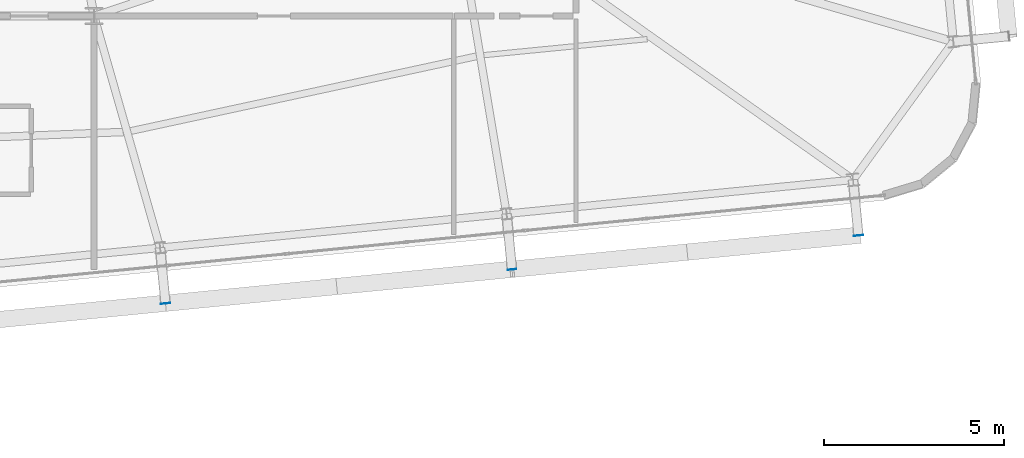
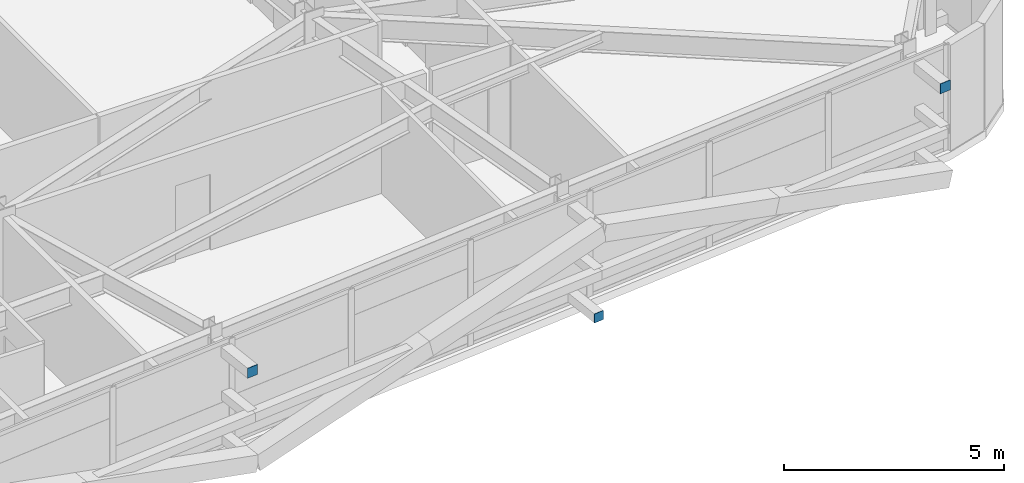
# One storey, part 41 of 52: 3 plates.
"""IFC4 building model written with IfcOpenShell, lengths in metres."""

from ifc_helpers import new_model, si_unit, direction, frame, origin, origin_2d, place, context, subcontext, project, spatial, rectangle, extrude, source, transform, mapped, material, layer, layer_set, type_object, element, save


model = new_model("IFC4")

# Units and contexts
model_context = context("Model", 3, precision=1e-05, world=origin(), true_north=direction((0.0, 1.0)))
body_context = subcontext(model_context, "Body", "Model", "MODEL_VIEW")
ifc_project = project(units=[si_unit("LENGTHUNIT", "METRE"), si_unit("AREAUNIT", "SQUARE_METRE"), si_unit("VOLUMEUNIT", "CUBIC_METRE"), si_unit("PLANEANGLEUNIT", "RADIAN"), si_unit("MASSUNIT", "GRAM", prefix="KILO")], contexts=[model_context])

# Site, building, storey
site_placement = place(None, origin())
site = spatial("IfcSite", under=ifc_project, at=site_placement, CompositionType="ELEMENT")
building_placement = place(site_placement, origin())
building = spatial("IfcBuilding", under=site, at=building_placement, Name="Taldren Reach Tower", CompositionType="ELEMENT")
storey_placement = place(building_placement, frame((0.0, 0.0, 96.60009765625)))
storey = spatial("IfcBuildingStorey", under=building, at=storey_placement, Name="L29", CompositionType="ELEMENT", Elevation=96.60009765625)

# Plates
ifc_material_1 = material(Name="Steel Gr 450 (C450L0)", Category="steel")
ifc_layer_1 = layer(ifc_material_1, 0.011962890625)
ifc_layer_set_1 = layer_set([ifc_layer_1], Name="Steel Gr 450 (C450L0)")
plate_type_1 = type_object("IfcPlateType", Name="PL-CAP-275", PredefinedType="SHEET", material=ifc_layer_set_1)
shared_shape_1 = source(origin(), body_context, "Body", "SweptSolid", [
    extrude(rectangle(XDim=0.27490234375, YDim=0.011962890625, at=origin_2d()), origin(), (0.0, 0.0, 1.0), 0.27490234375),
])
for number, where, z_axis, x_axis, name in (
    (1, (43.9873046875, 1.205322265625, 2.512451171875), (0.0, 0.0, 1.0), (0.995227399982, 0.097582899759, 0.0), "Tie strut end cap plate B2-S4 L29"),
    (2, (63.255126953125, 3.094482421875, 2.512451171875), (0.0, 0.0, 1.0), (0.995227399982, 0.097582899759, 0.0), "Tie strut end cap plate B2-S6 L29"),
):
    element("IfcPlate", number, at=place(storey_placement, frame(where, z_axis=z_axis, x_axis=x_axis)), inside=storey, type_object=plate_type_1, Name=name, PredefinedType="SHEET", context=body_context, shape_type="MappedRepresentation", body=[
        mapped(shared_shape_1, transform((0.0, 0.0, 0.0), scale=1.0)),
    ])
ifc_material_2 = material(Name="Steel Gr 350 (C350L0)", Category="steel")
ifc_layer_2 = layer(ifc_material_2, 0.011962890625)
ifc_layer_set_2 = layer_set([ifc_layer_2], Name="Steel Gr 350 (C350L0)")
plate_type_2 = type_object("IfcPlateType", Name="PL-CAP-250", PredefinedType="SHEET", material=ifc_layer_set_2)
shared_shape_2 = source(origin(), body_context, "Body", "SweptSolid", [
    extrude(rectangle(XDim=0.25, YDim=0.011962890625, at=origin_2d()), origin(), (0.0, 0.0, 1.0), 0.25),
])
plate_placement = place(storey_placement, frame((53.62109375, 2.14990234375, 0.094970703125), z_axis=(0.0, 0.0, 1.0), x_axis=(0.995227399982, 0.097582899759, 0.0)))
element("IfcPlate", 3, at=plate_placement, inside=storey, type_object=plate_type_2, Name="Tie strut end cap plate B2-S5 L29", PredefinedType="SHEET", context=body_context, shape_type="MappedRepresentation", body=[
    mapped(shared_shape_2, transform((0.0, 0.0, 0.0), scale=1.0)),
])

save(model, "model.ifc")
